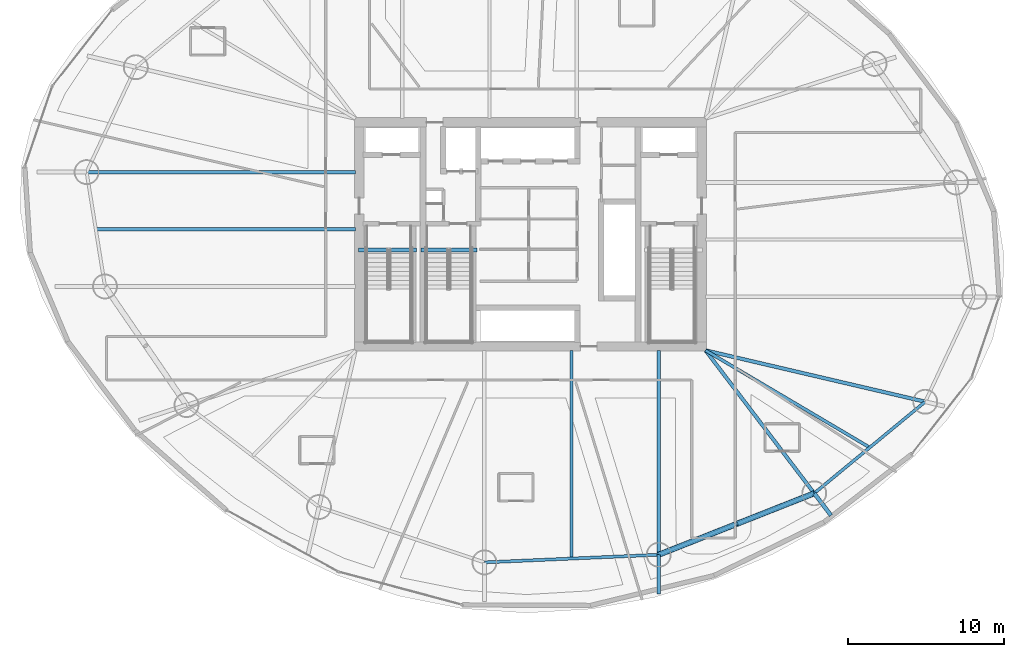
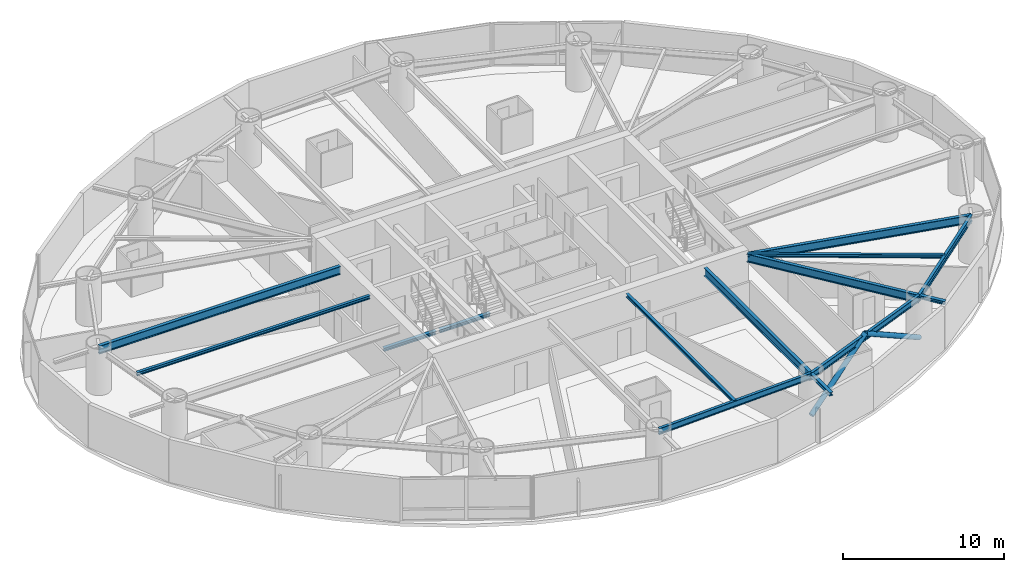
# One storey, part 6 of 23: 14 beams, 2 members.
"""IFC4 building model written with IfcOpenShell, lengths in metres."""

from ifc_helpers import new_model, si_unit, direction, frame, origin, origin_2d, place, context, subcontext, project, spatial, hollow_circle, i_section, extrude, material, material_profile, profile_set, type_object, element, save


model = new_model("IFC4")

# Units and contexts
model_context = context("Model", 3, precision=1e-05, world=origin(), true_north=direction((0.0, 1.0)))
body_context = subcontext(model_context, "Body", "Model", "MODEL_VIEW")
ifc_project = project(units=[si_unit("LENGTHUNIT", "METRE"), si_unit("AREAUNIT", "SQUARE_METRE"), si_unit("VOLUMEUNIT", "CUBIC_METRE"), si_unit("PLANEANGLEUNIT", "RADIAN"), si_unit("MASSUNIT", "GRAM", prefix="KILO")], contexts=[model_context])

# Site, building, storey
site_placement = place(None, origin())
site = spatial("IfcSite", under=ifc_project, at=site_placement, CompositionType="ELEMENT")
building_placement = place(site_placement, origin())
building = spatial("IfcBuilding", under=site, at=building_placement, Name="Bramvorn Convention Spire", CompositionType="ELEMENT")
storey_placement = place(building_placement, frame((0.0, 0.0, 65.89990234375)))
storey = spatial("IfcBuildingStorey", under=building, at=storey_placement, Name="L14", CompositionType="ELEMENT", Elevation=65.89990234375)

# Beams
ifc_material = material(Name="Steel CSA G40.21 Grade 350 (350W)", Category="steel")
ifc_material_profile_1 = material_profile(ifc_material, i_section(OverallWidth=0.201904296875, OverallDepth=0.2470703125, WebThickness=0.00732421875, FlangeThickness=0.010986328125, FilletRadius=0.011962890625, at=origin_2d()))
ifc_profile_set_1 = profile_set([ifc_material_profile_1], Name="Steel CSA G40.21 Grade 350 (350W) - W250X49")
beam_type_1 = type_object("IfcBeamType", Name="BM-W250X49", PredefinedType="JOIST", material=ifc_profile_set_1)
beam_1_placement = place(storey_placement, frame((26.75, 26.333984375, 3.126708984375), z_axis=(-1.0, 0.0, 0.0), x_axis=(0.0, -1.0, 0.0)))
element("IfcBeam", 1, at=beam_1_placement, inside=storey, type_object=beam_type_1, Name="L14 composite floor joist 09", PredefinedType="JOIST", context=body_context, shape_type="SweptSolid", body=[
    extrude(i_section(OverallWidth=0.201904296875, OverallDepth=0.2470703125, WebThickness=0.00732421875, FlangeThickness=0.010986328125, FilletRadius=0.011962890625, at=origin_2d()), origin(), (0.0, 0.0, 1.0), 16.67919921875),
])
beam_2_placement = place(storey_placement, frame((40.638427734375, 18.550048828125, 3.126708984375), z_axis=(0.0, -1.0, 0.0), x_axis=(1.0, 0.0, 0.0)))
element("IfcBeam", 2, at=beam_2_placement, inside=storey, type_object=beam_type_1, Name="L14 composite floor joist 13", PredefinedType="JOIST", context=body_context, shape_type="SweptSolid", body=[
    extrude(i_section(OverallWidth=0.201904296875, OverallDepth=0.2470703125, WebThickness=0.00732421875, FlangeThickness=0.010986328125, FilletRadius=0.011962890625, at=origin_2d()), origin(), (0.0, 0.0, 1.0), 13.372802734375),
])
beam_3_placement = place(storey_placement, frame((49.25, 18.550048828125, 3.126708984375), z_axis=(0.860664556648, -0.509172388223, 0.0), x_axis=(0.509172388223, 0.860664556648, 0.0)))
element("IfcBeam", 3, at=beam_3_placement, inside=storey, type_object=beam_type_1, Name="L14 composite floor joist 15", PredefinedType="JOIST", context=body_context, shape_type="SweptSolid", body=[
    extrude(i_section(OverallWidth=0.201904296875, OverallDepth=0.2470703125, WebThickness=0.00732421875, FlangeThickness=0.010986328125, FilletRadius=0.011962890625, at=origin_2d()), origin(), (0.0, 0.0, 1.0), 12.25048828125),
])
ifc_material_profile_2 = material_profile(ifc_material, i_section(OverallWidth=0.25390625, OverallDepth=0.2529296875, WebThickness=0.008544921875, FlangeThickness=0.01416015625, FilletRadius=0.011962890625, at=origin_2d()))
ifc_profile_set_2 = profile_set([ifc_material_profile_2], Name="Steel CSA G40.21 Grade 350 (350W) - W250X73")
beam_type_2 = type_object("IfcBeamType", Name="BM-W250X73", PredefinedType="BEAM", material=ifc_profile_set_2)
beam_4_placement = place(storey_placement, frame((46.23779296875, 5.42333984375, 3.12353515625), z_axis=(0.0, -1.0, 0.0), x_axis=(1.0, 0.0, 0.0)))
element("IfcBeam", 4, at=beam_4_placement, inside=storey, type_object=beam_type_2, Name="L14 slab-edge cantilever tip beam MC14", PredefinedType="BEAM", context=body_context, shape_type="SweptSolid", body=[
    extrude(i_section(OverallWidth=0.25390625, OverallDepth=0.2529296875, WebThickness=0.008544921875, FlangeThickness=0.01416015625, FilletRadius=0.011962890625, at=origin_2d()), origin(), (0.0, 0.0, 1.0), 2.511962890625),
])
beam_5_placement = place(storey_placement, frame((56.227783203125, 9.371337890625, 3.12353515625), z_axis=(0.605204852796, -0.796069774676, 0.0), x_axis=(0.796069774676, 0.605204852796, 0.0)))
element("IfcBeam", 5, at=beam_5_placement, inside=storey, type_object=beam_type_2, Name="L14 slab-edge cantilever tip beam MC15", PredefinedType="BEAM", context=body_context, shape_type="SweptSolid", body=[
    extrude(i_section(OverallWidth=0.25390625, OverallDepth=0.2529296875, WebThickness=0.008544921875, FlangeThickness=0.01416015625, FilletRadius=0.011962890625, at=origin_2d()), origin(), (0.0, 0.0, 1.0), 1.78173828125),
])
beam_6_placement = place(storey_placement, frame((26.949951171875, 25.010009765625, -0.12646484375), z_axis=(1.0, 0.0, 0.0), x_axis=(0.0, 1.0, 0.0)))
element("IfcBeam", 6, at=beam_6_placement, inside=storey, type_object=beam_type_2, Name="L14 ST1 stair arrival header beam", PredefinedType="BEAM", context=body_context, shape_type="SweptSolid", body=[
    extrude(i_section(OverallWidth=0.25390625, OverallDepth=0.2529296875, WebThickness=0.008544921875, FlangeThickness=0.01416015625, FilletRadius=0.011962890625, at=origin_2d()), origin(), (0.0, 0.0, 1.0), 3.739990234375),
])
beam_7_placement = place(storey_placement, frame((30.949951171875, 25.010009765625, -0.12646484375), z_axis=(1.0, 0.0, 0.0), x_axis=(0.0, 1.0, 0.0)))
element("IfcBeam", 7, at=beam_7_placement, inside=storey, type_object=beam_type_2, Name="L14 ST3 stair arrival header beam", PredefinedType="BEAM", context=body_context, shape_type="SweptSolid", body=[
    extrude(i_section(OverallWidth=0.25390625, OverallDepth=0.2529296875, WebThickness=0.008544921875, FlangeThickness=0.01416015625, FilletRadius=0.011962890625, at=origin_2d()), origin(), (0.0, 0.0, 1.0), 3.610107421875),
])
ifc_material_profile_3 = material_profile(ifc_material, i_section(OverallWidth=0.194091796875, OverallDepth=0.468994140625, WebThickness=0.0126953125, FlangeThickness=0.0205078125, FilletRadius=0.01806640625, at=origin_2d()))
ifc_profile_set_3 = profile_set([ifc_material_profile_3], Name="Steel CSA G40.21 Grade 350 (350W) - W460X106")
beam_type_3 = type_object("IfcBeamType", Name="BM-W460X106", PredefinedType="SPANDREL", material=ifc_profile_set_3)
beam_8_placement = place(storey_placement, frame((35.0390625, 4.93115234375, 3.015625), z_axis=(0.999035582762, 0.043907907889, 0.0), x_axis=(-0.043907907889, 0.999035582762, 0.0)))
element("IfcBeam", 8, at=beam_8_placement, inside=storey, type_object=beam_type_3, Name="L14 mega-column ring beam 13", PredefinedType="SPANDREL", context=body_context, shape_type="SweptSolid", body=[
    extrude(i_section(OverallWidth=0.194091796875, OverallDepth=0.468994140625, WebThickness=0.0126953125, FlangeThickness=0.0205078125, FilletRadius=0.01806640625, at=origin_2d()), origin(), (0.0, 0.0, 1.0), 11.20947265625),
])
beam_9_placement = place(storey_placement, frame((46.23779296875, 5.42333984375, 3.015625), z_axis=(0.93000950609, 0.367535465749, 0.0), x_axis=(-0.367535465749, 0.93000950609, 0.0)))
element("IfcBeam", 9, at=beam_9_placement, inside=storey, type_object=beam_type_3, Name="L14 mega-column ring beam 14", PredefinedType="SPANDREL", context=body_context, shape_type="SweptSolid", body=[
    extrude(i_section(OverallWidth=0.194091796875, OverallDepth=0.468994140625, WebThickness=0.0126953125, FlangeThickness=0.0205078125, FilletRadius=0.01806640625, at=origin_2d()), origin(), (0.0, 0.0, 1.0), 10.74169921875),
])
beam_10_placement = place(storey_placement, frame((56.227783203125, 9.371337890625, 3.015625), z_axis=(0.771417680101, 0.636329130896, 0.0), x_axis=(-0.636329130896, 0.771417680101, 0.0)))
element("IfcBeam", 10, at=beam_10_placement, inside=storey, type_object=beam_type_3, Name="L14 mega-column ring beam 15", PredefinedType="SPANDREL", context=body_context, shape_type="SweptSolid", body=[
    extrude(i_section(OverallWidth=0.194091796875, OverallDepth=0.468994140625, WebThickness=0.0126953125, FlangeThickness=0.0205078125, FilletRadius=0.01806640625, at=origin_2d()), origin(), (0.0, 0.0, 1.0), 9.244140625),
])
ifc_material_profile_4 = material_profile(ifc_material, i_section(OverallWidth=0.22998046875, OverallDepth=0.616943359375, WebThickness=0.01318359375, FlangeThickness=0.022216796875, FilletRadius=0.02001953125, at=origin_2d()))
ifc_profile_set_4 = profile_set([ifc_material_profile_4], Name="Steel CSA G40.21 Grade 350 (350W) - W610X140")
beam_type_4 = type_object("IfcBeamType", Name="BM-W610X140", PredefinedType="BEAM", material=ifc_profile_set_4)
beam_11_placement = place(storey_placement, frame((26.75, 30.00830078125, 2.941650390625), z_axis=(-1.0, 0.0, 0.0), x_axis=(0.0, -1.0, 0.0)))
element("IfcBeam", 11, at=beam_11_placement, inside=storey, type_object=beam_type_4, Name="L14 radial floor girder MC09", PredefinedType="BEAM", context=body_context, shape_type="SweptSolid", body=[
    extrude(i_section(OverallWidth=0.22998046875, OverallDepth=0.616943359375, WebThickness=0.01318359375, FlangeThickness=0.022216796875, FilletRadius=0.02001953125, at=origin_2d()), origin(), (0.0, 0.0, 1.0), 17.269775390625),
])
beam_12_placement = place(storey_placement, frame((46.23779296875, 18.550048828125, 2.941650390625), z_axis=(0.0, -1.0, 0.0), x_axis=(1.0, 0.0, 0.0)))
element("IfcBeam", 12, at=beam_12_placement, inside=storey, type_object=beam_type_4, Name="L14 radial floor girder MC14", PredefinedType="BEAM", context=body_context, shape_type="SweptSolid", body=[
    extrude(i_section(OverallWidth=0.22998046875, OverallDepth=0.616943359375, WebThickness=0.01318359375, FlangeThickness=0.022216796875, FilletRadius=0.02001953125, at=origin_2d()), origin(), (0.0, 0.0, 1.0), 13.126708984375),
])
beam_13_placement = place(storey_placement, frame((49.25, 18.550048828125, 2.941650390625), z_axis=(0.605191175112, -0.796080172826, 0.0), x_axis=(0.796080172826, 0.605191175112, 0.0)))
element("IfcBeam", 13, at=beam_13_placement, inside=storey, type_object=beam_type_4, Name="L14 radial floor girder MC15", PredefinedType="BEAM", context=body_context, shape_type="SweptSolid", body=[
    extrude(i_section(OverallWidth=0.22998046875, OverallDepth=0.616943359375, WebThickness=0.01318359375, FlangeThickness=0.022216796875, FilletRadius=0.02001953125, at=origin_2d()), origin(), (0.0, 0.0, 1.0), 11.52978515625),
])
beam_14_placement = place(storey_placement, frame((49.25, 18.550048828125, 2.941650390625), z_axis=(0.973775294862, -0.227511923018, 0.0), x_axis=(0.227511923018, 0.973775294862, 0.0)))
element("IfcBeam", 14, at=beam_14_placement, inside=storey, type_object=beam_type_4, Name="L14 radial floor girder MC16", PredefinedType="BEAM", context=body_context, shape_type="SweptSolid", body=[
    extrude(i_section(OverallWidth=0.22998046875, OverallDepth=0.616943359375, WebThickness=0.01318359375, FlangeThickness=0.022216796875, FilletRadius=0.02001953125, at=origin_2d()), origin(), (0.0, 0.0, 1.0), 14.48876953125),
])

# Members
ifc_material_profile_5 = material_profile(ifc_material, hollow_circle(Radius=0.177734375, WallThickness=0.015869140625, at=origin_2d()))
ifc_profile_set_5 = profile_set([ifc_material_profile_5], Name="Steel CSA G40.21 Grade 350 (350W) - CHS356X16")
member_type = type_object("IfcMemberType", Name="MBR-CHS356X16", PredefinedType="BRACE", material=ifc_profile_set_5)
member_1_placement = place(storey_placement, frame((46.23779296875, 5.42333984375, 0.0), z_axis=(0.795674251791, 0.314435032295, 0.517719128005), x_axis=(-0.367523576179, 0.930014204705, 0.0)))
element("IfcMember", 15, at=member_1_placement, inside=storey, type_object=member_type, Name="L14 perimeter Gothic lancet brace 14A", PredefinedType="BRACE", context=body_context, shape_type="SweptSolid", body=[
    extrude(hollow_circle(Radius=0.177734375, WallThickness=0.015869140625, at=origin_2d()), origin(), (0.0, 0.0, 1.0), 6.277587890625),
])
member_2_placement = place(storey_placement, frame((56.227783203125, 9.371337890625, 0.0), z_axis=(-0.795678790301, -0.314460346939, 0.517696776954), x_axis=(0.367547354558, -0.930004807599, 0.0)))
element("IfcMember", 16, at=member_2_placement, inside=storey, type_object=member_type, Name="L14 perimeter Gothic lancet brace 14B", PredefinedType="BRACE", context=body_context, shape_type="SweptSolid", body=[
    extrude(hollow_circle(Radius=0.177734375, WallThickness=0.015869140625, at=origin_2d()), origin(), (0.0, 0.0, 1.0), 6.27783203125),
])

save(model, "model.ifc")
